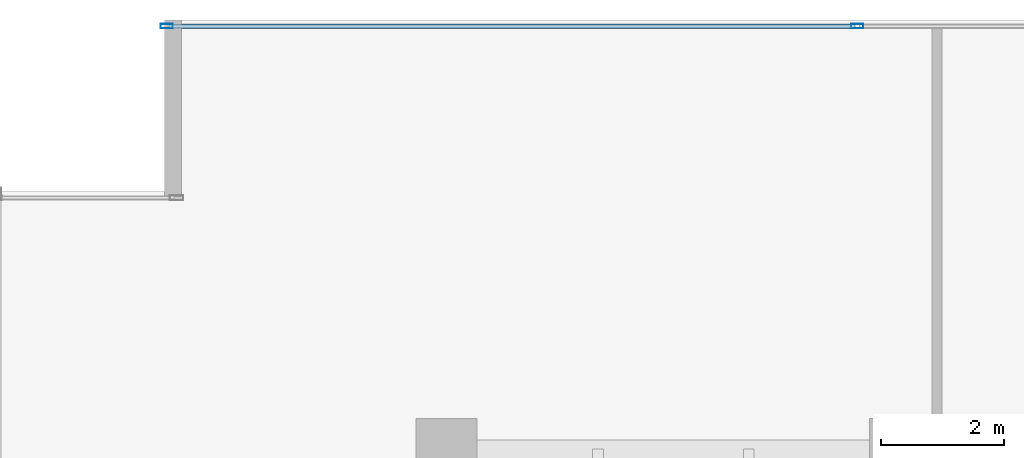
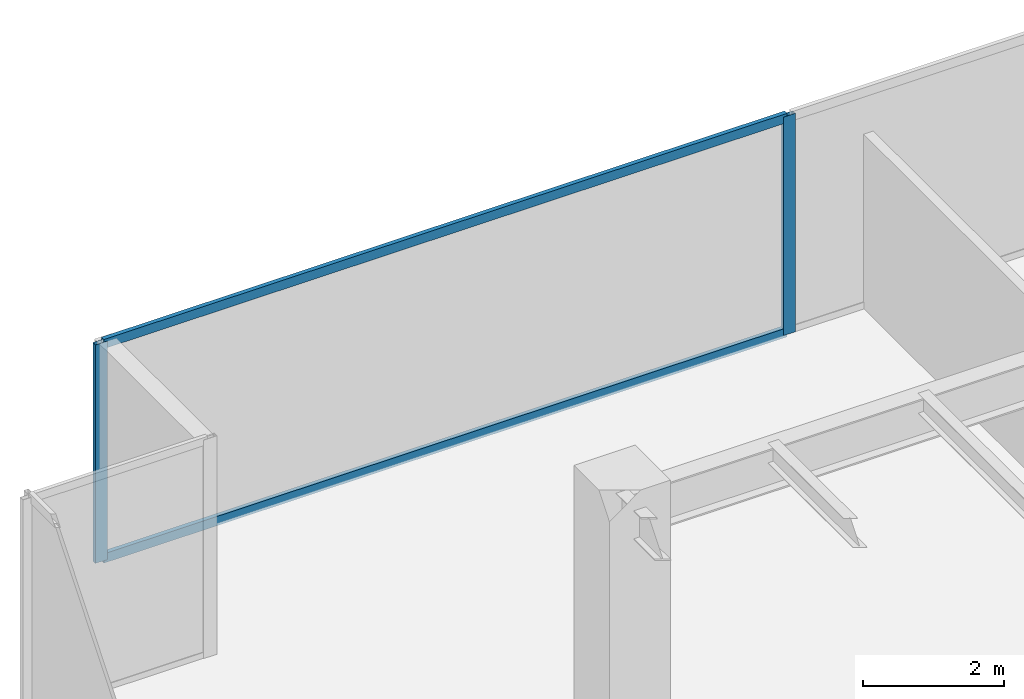
# One storey, part 15 of 35: 4 members, 1 element without a shape of its own.
"""IFC4 building model written with IfcOpenShell, lengths in metres."""

from ifc_helpers import new_model, si_unit, direction, frame, origin, origin_2d, place, context, subcontext, project, spatial, hollow_rectangle, extrude, source, transform, mapped, material, layer, layer_set, material_profile, profile_set, type_object, type_shapes, element, aggregate, save


model = new_model("IFC4")

# Units and contexts
model_context = context("Model", 3, precision=1e-05, world=origin(), true_north=direction((0.0, 1.0)))
body_context = subcontext(model_context, "Body", "Model", "MODEL_VIEW")
ifc_project = project(units=[si_unit("LENGTHUNIT", "METRE"), si_unit("AREAUNIT", "SQUARE_METRE"), si_unit("VOLUMEUNIT", "CUBIC_METRE"), si_unit("PLANEANGLEUNIT", "RADIAN"), si_unit("MASSUNIT", "GRAM", prefix="KILO")], contexts=[model_context])

# Site, building, storey
site_placement = place(None, origin())
site = spatial("IfcSite", under=ifc_project, at=site_placement, CompositionType="ELEMENT")
building_placement = place(site_placement, origin())
building = spatial("IfcBuilding", under=site, at=building_placement, Name="Haelvirn Gate Laboratories", CompositionType="ELEMENT")
storey_placement = place(building_placement, frame((0.0, 0.0, 66.199951171875)))
storey = spatial("IfcBuildingStorey", under=building, at=storey_placement, Name="L16", CompositionType="ELEMENT", Elevation=66.199951171875)

# Curtain wall, members
ifc_material_1 = material(Name="Anodised bronze unitised aluminium & triple low-E glass", Category="aluminium")
ifc_layer = layer(ifc_material_1, 0.18408203125, Name="CW-SYS-2")
ifc_layer_set = layer_set([ifc_layer], Name="Anodised bronze unitised aluminium & triple low-E glass")
curtain_wall_type = type_object("IfcCurtainWallType", Name="CW-SYS-2", PredefinedType="NOTDEFINED", material=ifc_layer_set)
curtain_wall_placement = place(storey_placement, origin())
curtain_wall = element("IfcCurtainWall", 1, at=curtain_wall_placement, inside=storey, type_object=curtain_wall_type, Name="L16 Unitised Curtain Wall CW-L16-P0-E14-1", PredefinedType="NOTDEFINED")
ifc_material_2 = material(Name="Extruded aluminium 6063-T6 (anodised bronze)", Category="aluminium")
ifc_material_profile_1 = material_profile(ifc_material_2, hollow_rectangle(XDim=0.074951171875, YDim=0.199951171875, WallThickness=0.0048828125, at=origin_2d()), Name="CWM-200x75x5")
ifc_profile_set_1 = profile_set([ifc_material_profile_1], Name="Extruded aluminium 6063-T6 (anodised bronze)")
member_type_1 = type_object("IfcMemberType", Name="CWM-T200", PredefinedType="MULLION", material=ifc_profile_set_1)
shared_shape_1 = source(origin(), body_context, "Body", "SweptSolid", [
    extrude(hollow_rectangle(XDim=0.074951171875, YDim=0.199951171875, WallThickness=0.0048828125, at=origin_2d()), origin(), (0.0, 0.0, 1.0), 3.780029296875),
])
type_shapes(member_type_1, [shared_shape_1])
member_1_placement = place(storey_placement, frame((2.83740234375, 48.5, 0.0), z_axis=(0.0, 0.0, 1.0), x_axis=(0.0, 1.0, 0.0)))
member_1 = element("IfcMember", 2, at=member_1_placement, type_object=member_type_1, Name="CW2 mullion 1", PredefinedType="MULLION", context=body_context, shape_type="MappedRepresentation", body=[
    mapped(shared_shape_1, transform((0.0, 0.0, 0.0), scale=1.0)),
])
member_2_placement = place(storey_placement, frame((14.10009765625, 48.5, 0.0), z_axis=(0.0, 0.0, 1.0), x_axis=(0.0, 1.0, 0.0)))
member_2 = element("IfcMember", 3, at=member_2_placement, type_object=member_type_1, Name="CW2 mullion 2", PredefinedType="MULLION", context=body_context, shape_type="MappedRepresentation", body=[
    mapped(shared_shape_1, transform((0.0, 0.0, 0.0), scale=1.0)),
])
ifc_material_profile_2 = material_profile(ifc_material_2, hollow_rectangle(XDim=0.070068359375, YDim=0.159912109375, WallThickness=0.0048828125, at=origin_2d()), Name="CWT-160x70x5")
ifc_profile_set_2 = profile_set([ifc_material_profile_2], Name="Extruded aluminium 6063-T6 (anodised bronze)")
member_type_2 = type_object("IfcMemberType", Name="CWT-T160", PredefinedType="USERDEFINED", material=ifc_profile_set_2)
shared_shape_2 = source(origin(), body_context, "Body", "SweptSolid", [
    extrude(hollow_rectangle(XDim=0.070068359375, YDim=0.159912109375, WallThickness=0.0048828125, at=origin_2d()), origin(), (0.0, 0.0, 1.0), 11.1875),
])
type_shapes(member_type_2, [shared_shape_2])
member_3_placement = place(storey_placement, frame((2.875, 48.5, 0.03515625), z_axis=(1.0, 0.0, 0.0), x_axis=(0.0, 1.0, 0.0)))
member_3 = element("IfcMember", 4, at=member_3_placement, type_object=member_type_2, Name="CW2 transom 1.1", ObjectType="TRANSOM", PredefinedType="USERDEFINED", context=body_context, shape_type="MappedRepresentation", body=[
    mapped(shared_shape_2, transform((0.0, 0.0, 0.0), scale=1.0)),
])
member_4_placement = place(storey_placement, frame((2.875, 48.5, 3.7451171875), z_axis=(1.0, 0.0, 0.0), x_axis=(0.0, 1.0, 0.0)))
member_4 = element("IfcMember", 5, at=member_4_placement, type_object=member_type_2, Name="CW2 transom 1.2", ObjectType="TRANSOM", PredefinedType="USERDEFINED", context=body_context, shape_type="MappedRepresentation", body=[
    mapped(shared_shape_2, transform((0.0, 0.0, 0.0), scale=1.0)),
])
aggregate(curtain_wall, [member_1, member_2, member_3, member_4])

save(model, "model.ifc")
